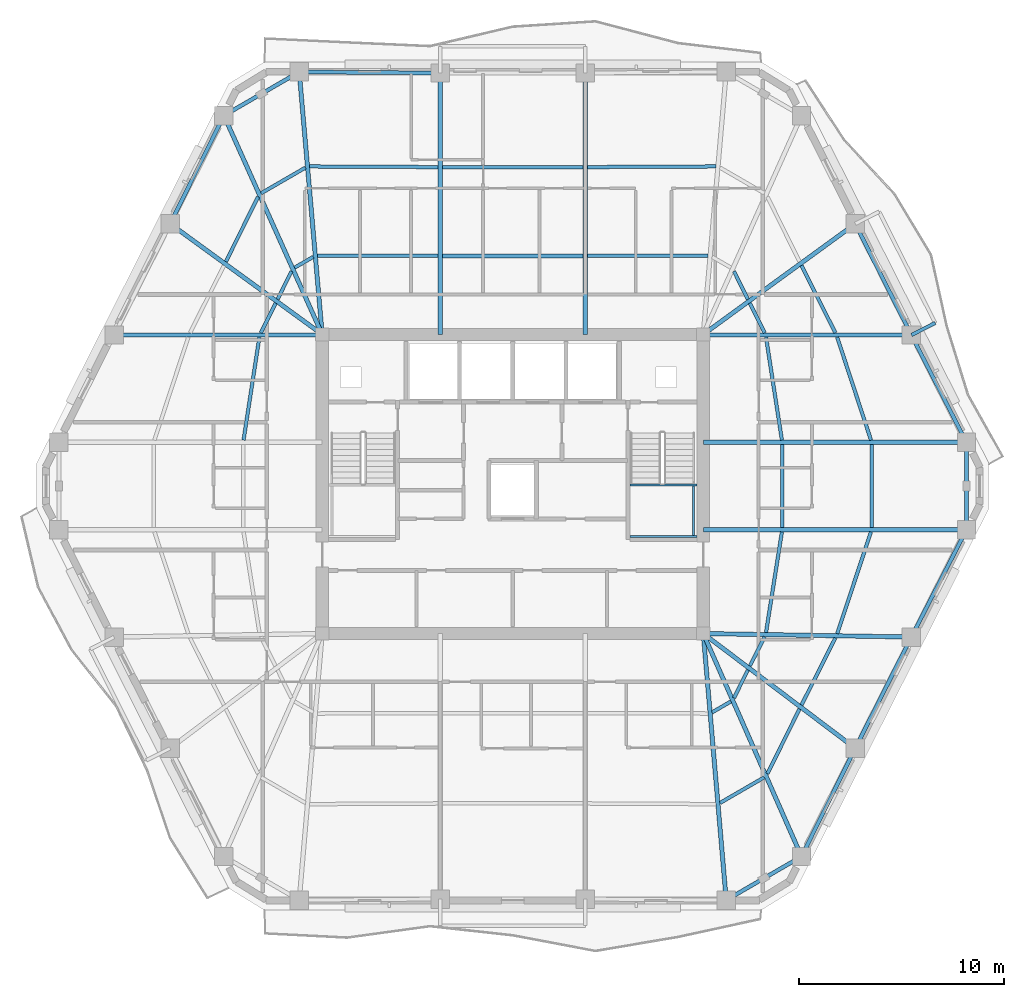
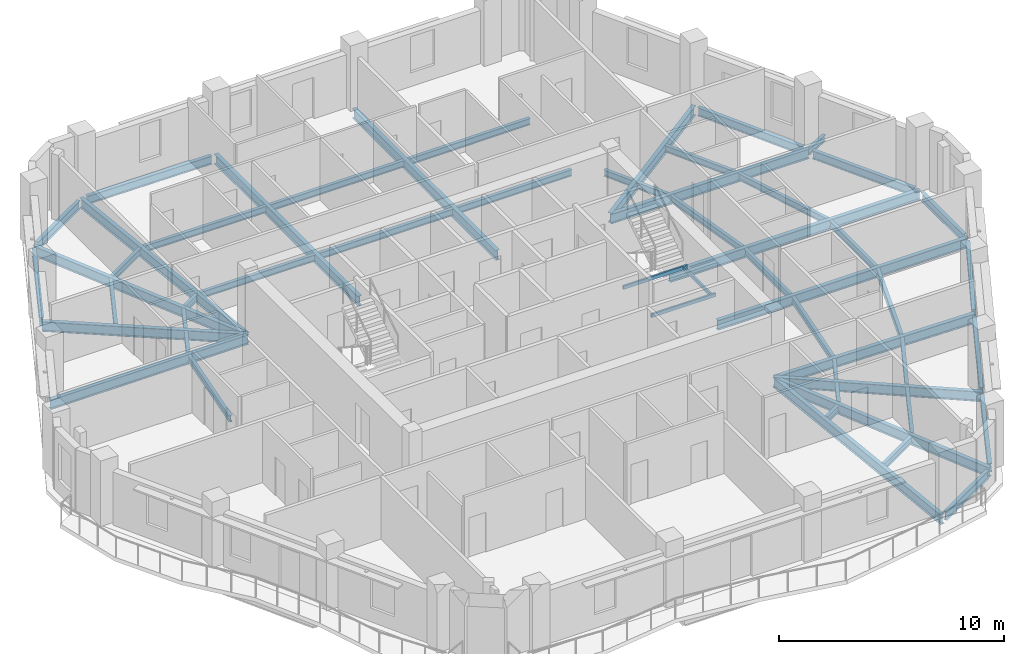
# One storey, part 2 of 11: 55 beams.
"""IFC4 building model written with IfcOpenShell, lengths in metres."""

import ifcopenshell
import ifcopenshell.guid

model = None  # the IFC model being written
_history = None  # IfcOwnerHistory: only IFC2X3 demands one
_inside = {}  # id of a spatial element -> (the spatial element, [elements in it])
_under = {}  # id of a project, library or spatial element -> (it, [spatial elements below it])
_declared = {}  # id of a project -> (the project, [libraries it declares])
_typed = {}  # id of a type object -> (the type object, [elements of that type])
_made_of = {}  # id of a material, layer set ... -> (it, [elements and type objects made of it])


def new_model(schema):
    """Start an empty IFC model of exactly this schema.

    Asked for "IFC4X3", IfcOpenShell would pick the latest addendum, in which some entities
    have other attributes; the version numbers below select the first issue.
    IFC2X3 requires an IfcOwnerHistory on every rooted entity: one is made here for all.
    """
    global model, _history
    if schema == "IFC4X3":
        model = ifcopenshell.file(schema_version=(4, 3, 0, 0))
    else:
        model = ifcopenshell.file(schema=schema)
    _inside.clear()
    _under.clear()
    _declared.clear()
    _typed.clear()
    _made_of.clear()
    _history = None
    if model.schema == "IFC2X3":
        org = make("IfcOrganization", Name="unknown")
        user = make(
            "IfcPersonAndOrganization",
            ThePerson=make("IfcPerson", FamilyName="unknown"),
            TheOrganization=org,
        )
        app = make(
            "IfcApplication",
            ApplicationDeveloper=org,
            Version="unknown",
            ApplicationFullName="unknown",
            ApplicationIdentifier="unknown",
        )
        _history = make(
            "IfcOwnerHistory",
            OwningUser=user,
            OwningApplication=app,
            ChangeAction="ADDED",
            CreationDate=0,
        )
    return model


def make(cls, **values):
    """One entity of the class cls with the attributes given. An attribute that is None is left unset."""
    return model.create_entity(
        cls, **{name: value for name, value in values.items() if value is not None}
    )


def rooted(cls, **values):
    """An entity with a GlobalId (a new one), such as an element, a storey or a relation."""
    return make(cls, GlobalId=ifcopenshell.guid.new(), OwnerHistory=_history, **values)


def si_unit(unit_type, name, prefix=None):
    """IfcSIUnit, for example si_unit("LENGTHUNIT", "METRE", prefix="MILLI")."""
    return make("IfcSIUnit", UnitType=unit_type, Prefix=prefix, Name=name)


def assignment(units):
    """IfcUnitAssignment: the units of a project."""
    return None if units is None else make("IfcUnitAssignment", Units=units)


def point(xyz):
    """IfcCartesianPoint."""
    return None if xyz is None else make("IfcCartesianPoint", Coordinates=xyz)


def direction(xyz):
    """IfcDirection."""
    return None if xyz is None else make("IfcDirection", DirectionRatios=xyz)


def frame(location, z_axis=None, x_axis=None):
    """IfcAxis2Placement3D, a coordinate frame: its origin and axes. An axis left out is left unset."""
    return make(
        "IfcAxis2Placement3D",
        Location=point(location),
        Axis=direction(z_axis),
        RefDirection=direction(x_axis),
    )


def frame_2d(location, x_axis=None):
    """IfcAxis2Placement2D, a coordinate frame in the plane: its origin and x axis."""
    return make(
        "IfcAxis2Placement2D", Location=point(location), RefDirection=direction(x_axis)
    )


def origin():
    """The frame at (0, 0, 0) with its axes left unset."""
    return frame((0.0, 0.0, 0.0))


def origin_2d():
    """The frame at (0, 0) in the plane with its x axis left unset."""
    return frame_2d((0.0, 0.0))


def place(relative_to, where):
    """IfcLocalPlacement: puts the frame where relative to a parent placement (None: the world)."""
    return make(
        "IfcLocalPlacement", PlacementRelTo=relative_to, RelativePlacement=where
    )


def context(
    kind, dimensions, precision=None, world=None, true_north=None, identifier=None
):
    """IfcGeometricRepresentationContext, for example the 3D "Model" context."""
    return make(
        "IfcGeometricRepresentationContext",
        ContextIdentifier=identifier,
        ContextType=kind,
        CoordinateSpaceDimension=dimensions,
        Precision=precision,
        WorldCoordinateSystem=world,
        TrueNorth=true_north,
    )


def subcontext(parent, identifier, kind, view, scale=None):
    """IfcGeometricRepresentationSubContext, for example "Body" below "Model"."""
    return make(
        "IfcGeometricRepresentationSubContext",
        ContextIdentifier=identifier,
        ContextType=kind,
        ParentContext=parent,
        TargetScale=scale,
        TargetView=view,
    )


def project(units=None, contexts=None):
    """IfcProject with its units and contexts."""
    return rooted(
        "IfcProject",
        Name="project",
        RepresentationContexts=contexts,
        UnitsInContext=assignment(units),
    )


def spatial(cls, under=None, at=None, **own):
    """A site, building, storey or space (cls), placed at a placement, below another one or the project."""
    s = rooted(cls, ObjectPlacement=at, **own)
    if under is not None:
        _under.setdefault(under.id(), (under, []))[1].append(s)
    return s


def profile(cls, at=None, kind="AREA", **sizes):
    """A parametric profile (cls). Its sizes go by their IFC names, for example OverallWidth=200.0."""
    return make(cls, ProfileType=kind, Position=at, **sizes)


def hollow_rectangle(**sizes):
    """IfcRectangleHollowProfileDef."""
    return profile("IfcRectangleHollowProfileDef", **sizes)


def i_section(**sizes):
    """IfcIShapeProfileDef."""
    return profile("IfcIShapeProfileDef", **sizes)


def extrude(swept, where, along, depth):
    """IfcExtrudedAreaSolid: the profile swept, set in the frame where, extruded along a direction by depth."""
    return make(
        "IfcExtrudedAreaSolid",
        SweptArea=swept,
        Position=where,
        ExtrudedDirection=direction(along),
        Depth=depth,
    )


def shape(context_of_items, identifier, shape_type, items):
    """IfcShapeRepresentation: the items that make up one representation, for example the "Body"."""
    return make(
        "IfcShapeRepresentation",
        ContextOfItems=context_of_items,
        RepresentationIdentifier=identifier,
        RepresentationType=shape_type,
        Items=items,
    )


def material(Name=None, Category=None):
    """IfcMaterial."""
    return make("IfcMaterial", Name=Name, Category=Category)


def material_profile(
    of_material, cross_section, Name=None, Category=None, Priority=None
):
    """IfcMaterialProfile: a cross section and its material."""
    return make(
        "IfcMaterialProfile",
        Name=Name,
        Material=of_material,
        Profile=cross_section,
        Priority=Priority,
        Category=Category,
    )


def profile_set(profiles, Name=None, composite=None):
    """IfcMaterialProfileSet."""
    return make(
        "IfcMaterialProfileSet",
        Name=Name,
        MaterialProfiles=profiles,
        CompositeProfile=composite,
    )


def made_of(thing, what):
    """Note that an element or type object is made of a material, layer set ...; save() writes the relation."""
    if what is not None:
        _made_of.setdefault(what.id(), (what, []))[1].append(thing)
    return thing


def type_object(cls, material=None, **own):
    """A type object (cls), such as IfcWallType, which elements share."""
    return made_of(rooted(cls, **own), material)


def element(
    cls,
    number,
    at=None,
    inside=None,
    cuts=None,
    type_object=None,
    material=None,
    context=None,
    identifier="Body",
    shape_type=None,
    held_by="IfcProductDefinitionShape",
    body=None,
    shapes=None,
    **own,
):
    """One element of the class cls, such as IfcWall. Its Tag is "e" and its number.

    at: its placement. inside: the storey or other place that contains it. cuts: it is an
    opening in that element (IfcRelVoidsElement). A single representation is given by context,
    identifier, shape_type and body (its items); several are given by shapes. held_by: the class
    of the entity that holds the representations. save() writes the other relations.
    """
    e = rooted(cls, Tag="e%d" % number, ObjectPlacement=at, **own)
    if body is not None:
        shapes = [shape(context, identifier, shape_type, body)]
    if shapes is not None:
        e.Representation = make(held_by, Representations=shapes)
    if inside is not None:
        _inside.setdefault(inside.id(), (inside, []))[1].append(e)
    if cuts is not None:
        rooted(
            "IfcRelVoidsElement", RelatingBuildingElement=cuts, RelatedOpeningElement=e
        )
    if type_object is not None:
        _typed.setdefault(type_object.id(), (type_object, []))[1].append(e)
    return made_of(e, material)


def aggregate(whole, parts):
    """IfcRelAggregates: a whole, such as a stair, and the parts it consists of."""
    return rooted("IfcRelAggregates", RelatingObject=whole, RelatedObjects=parts)


def save(model, path):
    """Write the relations noted so far, then the file.

    IfcRelAggregates (storeys below a building ...), IfcRelContainedInSpatialStructure (elements
    in a storey), IfcRelDefinesByType, IfcRelAssociatesMaterial and IfcRelDeclares: one each for
    every whole, place, type object, material and project.
    """
    for whole, parts in _under.values():
        aggregate(whole, parts)
    for where, things in _inside.values():
        rooted(
            "IfcRelContainedInSpatialStructure",
            RelatedElements=things,
            RelatingStructure=where,
        )
    for kind, things in _typed.values():
        rooted("IfcRelDefinesByType", RelatedObjects=things, RelatingType=kind)
    for what, things in _made_of.values():
        rooted("IfcRelAssociatesMaterial", RelatedObjects=things, RelatingMaterial=what)
    for by, libraries in _declared.values():
        rooted("IfcRelDeclares", RelatingContext=by, RelatedDefinitions=libraries)
    model.write(path)


model = new_model("IFC4")

# Units and contexts
model_context = context("Model", 3, precision=1e-05, world=origin(), true_north=direction((0.0, 1.0)))
body_context = subcontext(model_context, "Body", "Model", "MODEL_VIEW")
ifc_project = project(units=[si_unit("LENGTHUNIT", "METRE"), si_unit("AREAUNIT", "SQUARE_METRE"), si_unit("VOLUMEUNIT", "CUBIC_METRE"), si_unit("PLANEANGLEUNIT", "RADIAN"), si_unit("MASSUNIT", "GRAM", prefix="KILO")], contexts=[model_context])

# Site, building, storey
site_placement = place(None, origin())
site = spatial("IfcSite", under=ifc_project, at=site_placement, CompositionType="ELEMENT")
building_placement = place(site_placement, origin())
building = spatial("IfcBuilding", under=site, at=building_placement, Name="Cinnabar Lancet Tower", CompositionType="ELEMENT")
storey_placement = place(building_placement, frame((0.0, 0.0, 200.300048828125)))
storey = spatial("IfcBuildingStorey", under=building, at=storey_placement, Name="L53", CompositionType="ELEMENT", Elevation=200.300048828125)

# Beams
ifc_material_1 = material(Name="Structural steel S355", Category="steel")
ifc_material_profile_1 = material_profile(ifc_material_1, i_section(OverallWidth=0.17138671875, OverallDepth=0.35498046875, WebThickness=0.00732421875, FlangeThickness=0.011474609375, FilletRadius=0.01025390625, at=origin_2d()), Name="UKB 356x171x51")
ifc_profile_set_1 = profile_set([ifc_material_profile_1], Name="Structural steel S355")
beam_type_1 = type_object("IfcBeamType", Name="STR-BM-JST-356", PredefinedType="JOIST", material=ifc_profile_set_1)
beam_1_placement = place(storey_placement, frame((42.51708984375, 10.3310546875, -0.3779296875), z_axis=(0.865267839663, 0.501309849937, 0.0), x_axis=(-0.501309849937, 0.865267839663, 0.0)))
element("IfcBeam", 1, at=beam_1_placement, inside=storey, type_object=beam_type_1, Name="L53 Secondary Floor Joist 15", PredefinedType="JOIST", context=body_context, shape_type="SweptSolid", body=[
    extrude(i_section(OverallWidth=0.17138671875, OverallDepth=0.35498046875, WebThickness=0.00732421875, FlangeThickness=0.011474609375, FilletRadius=0.01025390625, at=origin_2d()), origin(), (0.0, 0.0, 1.0), 2.497314453125),
])
beam_2_placement = place(storey_placement, frame((42.135986328125, 14.7548828125, -0.3779296875), z_axis=(0.8651881055, 0.501447446998, 0.0), x_axis=(-0.501447446998, 0.8651881055, 0.0)))
element("IfcBeam", 2, at=beam_2_placement, inside=storey, type_object=beam_type_1, Name="L53 Secondary Floor Joist 16", PredefinedType="JOIST", context=body_context, shape_type="SweptSolid", body=[
    extrude(i_section(OverallWidth=0.17138671875, OverallDepth=0.35498046875, WebThickness=0.00732421875, FlangeThickness=0.011474609375, FilletRadius=0.01025390625, at=origin_2d()), origin(), (0.0, 0.0, 1.0), 1.05322265625),
])
beam_3_placement = place(storey_placement, frame((44.8291015625, 11.758056640625, -0.3779296875), z_axis=(0.445027906173, 0.895516701534, 0.0), x_axis=(-0.895516701534, 0.445027906173, 0.0)))
element("IfcBeam", 3, at=beam_3_placement, inside=storey, type_object=beam_type_1, Name="L53 Secondary Floor Joist 17", PredefinedType="JOIST", context=body_context, shape_type="SweptSolid", body=[
    extrude(i_section(OverallWidth=0.17138671875, OverallDepth=0.35498046875, WebThickness=0.00732421875, FlangeThickness=0.011474609375, FilletRadius=0.01025390625, at=origin_2d()), origin(), (0.0, 0.0, 1.0), 3.531982421875),
])
beam_4_placement = place(storey_placement, frame((43.198974609375, 15.45703125, -0.3779296875), z_axis=(0.444589856968, 0.895734256954, 0.0), x_axis=(-0.895734256954, 0.444589856968, 0.0)))
element("IfcBeam", 4, at=beam_4_placement, inside=storey, type_object=beam_type_1, Name="L53 Secondary Floor Joist 18", PredefinedType="JOIST", context=body_context, shape_type="SweptSolid", body=[
    extrude(i_section(OverallWidth=0.17138671875, OverallDepth=0.35498046875, WebThickness=0.00732421875, FlangeThickness=0.011474609375, FilletRadius=0.01025390625, at=origin_2d()), origin(), (0.0, 0.0, 1.0), 1.527099609375),
])
beam_5_placement = place(storey_placement, frame((46.49609375, 15.112060546875, -0.3779296875), z_axis=(0.450564728728, 0.892743762357, 0.0), x_axis=(-0.892743762357, 0.450564728728, 0.0)))
element("IfcBeam", 5, at=beam_5_placement, inside=storey, type_object=beam_type_1, Name="L53 Secondary Floor Joist 19", PredefinedType="JOIST", context=body_context, shape_type="SweptSolid", body=[
    extrude(i_section(OverallWidth=0.17138671875, OverallDepth=0.35498046875, WebThickness=0.00732421875, FlangeThickness=0.011474609375, FilletRadius=0.01025390625, at=origin_2d()), origin(), (0.0, 0.0, 1.0), 3.66845703125),
])
beam_6_placement = place(storey_placement, frame((43.97412109375, 17.014892578125, -0.3779296875), z_axis=(0.450137936259, 0.892959035085, 0.0), x_axis=(-0.892959035085, 0.450137936259, 0.0)))
element("IfcBeam", 6, at=beam_6_placement, inside=storey, type_object=beam_type_1, Name="L53 Secondary Floor Joist 20", PredefinedType="JOIST", context=body_context, shape_type="SweptSolid", body=[
    extrude(i_section(OverallWidth=0.17138671875, OverallDepth=0.35498046875, WebThickness=0.00732421875, FlangeThickness=0.011474609375, FilletRadius=0.01025390625, at=origin_2d()), origin(), (0.0, 0.0, 1.0), 1.6015625),
])
beam_7_placement = place(storey_placement, frame((48.236083984375, 18.594970703125, -0.3779296875), z_axis=(0.315346227037, 0.948976689436, 0.0), x_axis=(-0.948976689436, 0.315346227037, 0.0)))
element("IfcBeam", 7, at=beam_7_placement, inside=storey, type_object=beam_type_1, Name="L53 Secondary Floor Joist 21", PredefinedType="JOIST", context=body_context, shape_type="SweptSolid", body=[
    extrude(i_section(OverallWidth=0.17138671875, OverallDepth=0.35498046875, WebThickness=0.00732421875, FlangeThickness=0.011474609375, FilletRadius=0.01025390625, at=origin_2d()), origin(), (0.0, 0.0, 1.0), 5.235107421875),
])
beam_8_placement = place(storey_placement, frame((44.763916015625, 18.653076171875, -0.3779296875), z_axis=(0.155750702097, 0.987796395416, 0.0), x_axis=(-0.987796395416, 0.155750702097, 0.0)))
element("IfcBeam", 8, at=beam_8_placement, inside=storey, type_object=beam_type_1, Name="L53 Secondary Floor Joist 22", PredefinedType="JOIST", context=body_context, shape_type="SweptSolid", body=[
    extrude(i_section(OverallWidth=0.17138671875, OverallDepth=0.35498046875, WebThickness=0.00732421875, FlangeThickness=0.011474609375, FilletRadius=0.01025390625, at=origin_2d()), origin(), (0.0, 0.0, 1.0), 4.970458984375),
])
for number, where, z_axis, x_axis, name in (
    (9, (49.922119140625, 23.77294921875, -0.3779296875), (0.0, 1.0, 0.0), (-1.0, 0.0, 0.0), "L53 Secondary Floor Joist 23"),
    (10, (45.553955078125, 23.77294921875, -0.3779296875), (0.0, 1.0, 0.0), (-1.0, 0.0, 0.0), "L53 Secondary Floor Joist 24"),
):
    element("IfcBeam", number, at=place(storey_placement, frame(where, z_axis=z_axis, x_axis=x_axis)), inside=storey, type_object=beam_type_1, Name=name, PredefinedType="JOIST", context=body_context, shape_type="SweptSolid", body=[
        extrude(i_section(OverallWidth=0.17138671875, OverallDepth=0.35498046875, WebThickness=0.00732421875, FlangeThickness=0.011474609375, FilletRadius=0.01025390625, at=origin_2d()), origin(), (0.0, 0.0, 1.0), 4.053955078125),
    ])
beam_9_placement = place(storey_placement, frame((49.887939453125, 28.037109375, -0.3779296875), z_axis=(-0.312240109925, 0.95000321776, 0.0), x_axis=(-0.95000321776, -0.312240109925, 0.0)))
element("IfcBeam", 11, at=beam_9_placement, inside=storey, type_object=beam_type_1, Name="L53 Secondary Floor Joist 25", PredefinedType="JOIST", context=body_context, shape_type="SweptSolid", body=[
    extrude(i_section(OverallWidth=0.17138671875, OverallDepth=0.35498046875, WebThickness=0.00732421875, FlangeThickness=0.011474609375, FilletRadius=0.01025390625, at=origin_2d()), origin(), (0.0, 0.0, 1.0), 5.29345703125),
])
beam_10_placement = place(storey_placement, frame((45.5380859375, 28.037109375, -0.3779296875), z_axis=(-0.152154536592, 0.98835671546, 0.0), x_axis=(-0.98835671546, -0.152154536592, 0.0)))
element("IfcBeam", 12, at=beam_10_placement, inside=storey, type_object=beam_type_1, Name="L53 Secondary Floor Joist 26", PredefinedType="JOIST", context=body_context, shape_type="SweptSolid", body=[
    extrude(i_section(OverallWidth=0.17138671875, OverallDepth=0.35498046875, WebThickness=0.00732421875, FlangeThickness=0.011474609375, FilletRadius=0.01025390625, at=origin_2d()), origin(), (0.0, 0.0, 1.0), 5.088134765625),
])
beam_11_placement = place(storey_placement, frame((48.14794921875, 33.27587890625, -0.3779296875), z_axis=(-0.449230875134, 0.893415704376, 0.0), x_axis=(-0.893415704376, -0.449230875134, 0.0)))
element("IfcBeam", 13, at=beam_11_placement, inside=storey, type_object=beam_type_1, Name="L53 Secondary Floor Joist 27", PredefinedType="JOIST", context=body_context, shape_type="SweptSolid", body=[
    extrude(i_section(OverallWidth=0.17138671875, OverallDepth=0.35498046875, WebThickness=0.00732421875, FlangeThickness=0.011474609375, FilletRadius=0.01025390625, at=origin_2d()), origin(), (0.0, 0.0, 1.0), 3.677001953125),
])
beam_12_placement = place(storey_placement, frame((44.695068359375, 33.27587890625, -0.3779296875), z_axis=(-0.446006949597, 0.89502949723, 0.0), x_axis=(-0.89502949723, -0.446006949597, 0.0)))
element("IfcBeam", 14, at=beam_12_placement, inside=storey, type_object=beam_type_1, Name="L53 Secondary Floor Joist 28", PredefinedType="JOIST", context=body_context, shape_type="SweptSolid", body=[
    extrude(i_section(OverallWidth=0.17138671875, OverallDepth=0.35498046875, WebThickness=0.00732421875, FlangeThickness=0.011474609375, FilletRadius=0.01025390625, at=origin_2d()), origin(), (0.0, 0.0, 1.0), 1.619140625),
])
beam_13_placement = place(storey_placement, frame((43.8779296875, 34.9150390625, -0.3779296875), z_axis=(-0.444589856968, 0.895734256954, 0.0), x_axis=(-0.895734256954, -0.444589856968, 0.0)))
element("IfcBeam", 15, at=beam_13_placement, inside=storey, type_object=beam_type_1, Name="L53 Secondary Floor Joist 30", PredefinedType="JOIST", context=body_context, shape_type="SweptSolid", body=[
    extrude(i_section(OverallWidth=0.17138671875, OverallDepth=0.35498046875, WebThickness=0.00732421875, FlangeThickness=0.011474609375, FilletRadius=0.01025390625, at=origin_2d()), origin(), (0.0, 0.0, 1.0), 1.527099609375),
])
beam_14_placement = place(storey_placement, frame((42.31201171875, 41.39794921875, -0.3779296875), z_axis=(-0.999986965561, -0.005105752523, 0.0), x_axis=(0.005105752523, -0.999986965561, 0.0)))
element("IfcBeam", 16, at=beam_14_placement, inside=storey, type_object=beam_type_1, Name="L53 Secondary Floor Joist 33", PredefinedType="JOIST", context=body_context, shape_type="SweptSolid", body=[
    extrude(i_section(OverallWidth=0.17138671875, OverallDepth=0.35498046875, WebThickness=0.00732421875, FlangeThickness=0.011474609375, FilletRadius=0.01025390625, at=origin_2d()), origin(), (0.0, 0.0, 1.0), 6.263916015625),
])
beam_15_placement = place(storey_placement, frame((41.930908203125, 37.04296875, -0.3779296875), z_axis=(-0.999996795667, -0.002531532393, 0.0), x_axis=(0.002531532393, -0.999996795667, 0.0)))
element("IfcBeam", 17, at=beam_15_placement, inside=storey, type_object=beam_type_1, Name="L53 Secondary Floor Joist 34", PredefinedType="JOIST", context=body_context, shape_type="SweptSolid", body=[
    extrude(i_section(OverallWidth=0.17138671875, OverallDepth=0.35498046875, WebThickness=0.00732421875, FlangeThickness=0.011474609375, FilletRadius=0.01025390625, at=origin_2d()), origin(), (0.0, 0.0, 1.0), 5.8828125),
])
for number, where, z_axis, x_axis, name in (
    (18, (35.837890625, 41.364990234375, -0.3779296875), (-1.0, 0.0, 0.0), (0.0, -1.0, 0.0), "L53 Secondary Floor Joist 35"),
    (19, (35.837890625, 37.027099609375, -0.3779296875), (-1.0, 0.0, 0.0), (0.0, -1.0, 0.0), "L53 Secondary Floor Joist 36"),
):
    element("IfcBeam", number, at=place(storey_placement, frame(where, z_axis=z_axis, x_axis=x_axis)), inside=storey, type_object=beam_type_1, Name=name, PredefinedType="JOIST", context=body_context, shape_type="SweptSolid", body=[
        extrude(i_section(OverallWidth=0.17138671875, OverallDepth=0.35498046875, WebThickness=0.00732421875, FlangeThickness=0.011474609375, FilletRadius=0.01025390625, at=origin_2d()), origin(), (0.0, 0.0, 1.0), 6.8759765625),
    ])
beam_16_placement = place(storey_placement, frame((28.751953125, 41.365966796875, -0.3779296875), z_axis=(-0.999986965561, 0.005105752523, 0.0), x_axis=(-0.005105752523, -0.999986965561, 0.0)))
element("IfcBeam", 20, at=beam_16_placement, inside=storey, type_object=beam_type_1, Name="L53 Secondary Floor Joist 37", PredefinedType="JOIST", context=body_context, shape_type="SweptSolid", body=[
    extrude(i_section(OverallWidth=0.17138671875, OverallDepth=0.35498046875, WebThickness=0.00732421875, FlangeThickness=0.011474609375, FilletRadius=0.01025390625, at=origin_2d()), origin(), (0.0, 0.0, 1.0), 6.263916015625),
])
beam_17_placement = place(storey_placement, frame((28.751953125, 37.028076171875, -0.3779296875), z_axis=(-0.999996795933, 0.002531427338, 0.0), x_axis=(-0.002531427338, -0.999996795933, 0.0)))
element("IfcBeam", 21, at=beam_17_placement, inside=storey, type_object=beam_type_1, Name="L53 Secondary Floor Joist 38", PredefinedType="JOIST", context=body_context, shape_type="SweptSolid", body=[
    extrude(i_section(OverallWidth=0.17138671875, OverallDepth=0.35498046875, WebThickness=0.00732421875, FlangeThickness=0.011474609375, FilletRadius=0.01025390625, at=origin_2d()), origin(), (0.0, 0.0, 1.0), 5.883056640625),
])
beam_18_placement = place(storey_placement, frame((22.282958984375, 41.341064453125, -0.3779296875), z_axis=(-0.865267839663, -0.501309849937, 0.0), x_axis=(0.501309849937, -0.865267839663, 0.0)))
element("IfcBeam", 22, at=beam_18_placement, inside=storey, type_object=beam_type_1, Name="L53 Secondary Floor Joist 39", PredefinedType="JOIST", context=body_context, shape_type="SweptSolid", body=[
    extrude(i_section(OverallWidth=0.17138671875, OverallDepth=0.35498046875, WebThickness=0.00732421875, FlangeThickness=0.011474609375, FilletRadius=0.01025390625, at=origin_2d()), origin(), (0.0, 0.0, 1.0), 2.497314453125),
])
beam_19_placement = place(storey_placement, frame((22.6640625, 36.985107421875, -0.3779296875), z_axis=(-0.8651881055, -0.501447446998, 0.0), x_axis=(0.501447446998, -0.8651881055, 0.0)))
element("IfcBeam", 23, at=beam_19_placement, inside=storey, type_object=beam_type_1, Name="L53 Secondary Floor Joist 40", PredefinedType="JOIST", context=body_context, shape_type="SweptSolid", body=[
    extrude(i_section(OverallWidth=0.17138671875, OverallDepth=0.35498046875, WebThickness=0.00732421875, FlangeThickness=0.011474609375, FilletRadius=0.01025390625, at=origin_2d()), origin(), (0.0, 0.0, 1.0), 1.05322265625),
])
beam_20_placement = place(storey_placement, frame((19.970947265625, 39.9150390625, -0.3779296875), z_axis=(-0.444835507887, -0.895612288283, 0.0), x_axis=(0.895612288283, -0.444835507887, 0.0)))
element("IfcBeam", 24, at=beam_20_placement, inside=storey, type_object=beam_type_1, Name="L53 Secondary Floor Joist 41", PredefinedType="JOIST", context=body_context, shape_type="SweptSolid", body=[
    extrude(i_section(OverallWidth=0.17138671875, OverallDepth=0.35498046875, WebThickness=0.00732421875, FlangeThickness=0.011474609375, FilletRadius=0.01025390625, at=origin_2d()), origin(), (0.0, 0.0, 1.0), 3.533935546875),
])
beam_21_placement = place(storey_placement, frame((21.60107421875, 36.282958984375, -0.3779296875), z_axis=(-0.444589856968, -0.895734256954, 0.0), x_axis=(0.895734256954, -0.444589856968, 0.0)))
element("IfcBeam", 25, at=beam_21_placement, inside=storey, type_object=beam_type_1, Name="L53 Secondary Floor Joist 42", PredefinedType="JOIST", context=body_context, shape_type="SweptSolid", body=[
    extrude(i_section(OverallWidth=0.17138671875, OverallDepth=0.35498046875, WebThickness=0.00732421875, FlangeThickness=0.011474609375, FilletRadius=0.01025390625, at=origin_2d()), origin(), (0.0, 0.0, 1.0), 1.527099609375),
])
beam_22_placement = place(storey_placement, frame((20.826904296875, 34.72509765625, -0.3779296875), z_axis=(-0.44588615098, -0.895089682861, 0.0), x_axis=(0.895089682861, -0.44588615098, 0.0)))
element("IfcBeam", 26, at=beam_22_placement, inside=storey, type_object=beam_type_1, Name="L53 Secondary Floor Joist 44", PredefinedType="JOIST", context=body_context, shape_type="SweptSolid", body=[
    extrude(i_section(OverallWidth=0.17138671875, OverallDepth=0.35498046875, WebThickness=0.00732421875, FlangeThickness=0.011474609375, FilletRadius=0.01025390625, at=origin_2d()), origin(), (0.0, 0.0, 1.0), 1.619140625),
])
beam_23_placement = place(storey_placement, frame((20.035888671875, 33.06591796875, -0.3779296875), z_axis=(-0.152107663797, -0.988363930248, 0.0), x_axis=(0.988363930248, -0.152107663797, 0.0)))
element("IfcBeam", 27, at=beam_23_placement, inside=storey, type_object=beam_type_1, Name="L53 Secondary Floor Joist 46", PredefinedType="JOIST", context=body_context, shape_type="SweptSolid", body=[
    extrude(i_section(OverallWidth=0.17138671875, OverallDepth=0.35498046875, WebThickness=0.00732421875, FlangeThickness=0.011474609375, FilletRadius=0.01025390625, at=origin_2d()), origin(), (0.0, 0.0, 1.0), 5.088134765625),
])
ifc_material_2 = material(Name="Structural steel S355", Category="steel")
ifc_material_profile_2 = material_profile(ifc_material_2, hollow_rectangle(XDim=0.10009765625, YDim=0.199951171875, WallThickness=0.008056640625, InnerFilletRadius=0.00390625, OuterFilletRadius=0.011962890625, at=origin_2d()), Name="RHS 200x100x8")
ifc_profile_set_2 = profile_set([ifc_material_profile_2], Name="Structural steel S355")
beam_type_2 = type_object("IfcBeamType", Name="STR-BM-LND-203", PredefinedType="BEAM", material=ifc_profile_set_2)
for number, where, z_axis, x_axis, name in (
    (28, (38.1201171875, 23.330078125, 1.474853515625), (1.0, 0.0, 0.0), (0.0, 1.0, 0.0), "L53 ST-2-L53 Landing Support Beam S"),
    (29, (38.1201171875, 25.844970703125, 1.474853515625), (1.0, 0.0, 0.0), (0.0, 1.0, 0.0), "L53 ST-2-L53 Landing Support Beam N"),
):
    element("IfcBeam", number, at=place(storey_placement, frame(where, z_axis=z_axis, x_axis=x_axis)), inside=storey, type_object=beam_type_2, Name=name, PredefinedType="BEAM", context=body_context, shape_type="SweptSolid", body=[
        extrude(hollow_rectangle(XDim=0.10009765625, YDim=0.199951171875, WallThickness=0.008056640625, InnerFilletRadius=0.00390625, OuterFilletRadius=0.011962890625, at=origin_2d()), origin(), (0.0, 0.0, 1.0), 3.27978515625),
    ])
beam_24_placement = place(storey_placement, frame((41.219970703125, 23.3798828125, 1.474853515625), z_axis=(0.0, 1.0, 0.0), x_axis=(-1.0, 0.0, 0.0)))
element("IfcBeam", 30, at=beam_24_placement, inside=storey, type_object=beam_type_2, Name="L53 ST-2-L53 Landing Side Trimmer Beam", PredefinedType="BEAM", context=body_context, shape_type="SweptSolid", body=[
    extrude(hollow_rectangle(XDim=0.10009765625, YDim=0.199951171875, WallThickness=0.008056640625, InnerFilletRadius=0.00390625, OuterFilletRadius=0.011962890625, at=origin_2d()), origin(), (0.0, 0.0, 1.0), 2.4150390625),
])
ifc_material_3 = material(Name="Structural steel S355", Category="steel")
ifc_material_profile_3 = material_profile(ifc_material_3, i_section(OverallWidth=0.1904296875, OverallDepth=0.45703125, WebThickness=0.009033203125, FlangeThickness=0.014404296875, FilletRadius=0.01025390625, at=origin_2d()), Name="UKB 457x191x74")
ifc_profile_set_3 = profile_set([ifc_material_profile_3], Name="Structural steel S355")
beam_type_3 = type_object("IfcBeamType", Name="STR-BM-SPN-457", PredefinedType="SPANDREL", material=ifc_profile_set_3)
beam_25_placement = place(storey_placement, frame((43.037109375, 5.714111328125, -0.428955078125), z_axis=(0.865195717586, 0.501434313016, 0.0), x_axis=(-0.501434313016, 0.865195717586, 0.0)))
element("IfcBeam", 31, at=beam_25_placement, inside=storey, type_object=beam_type_3, Name="L53 Perimeter Spandrel 4", PredefinedType="SPANDREL", context=body_context, shape_type="SweptSolid", body=[
    extrude(i_section(OverallWidth=0.1904296875, OverallDepth=0.45703125, WebThickness=0.009033203125, FlangeThickness=0.014404296875, FilletRadius=0.01025390625, at=origin_2d()), origin(), (0.0, 0.0, 1.0), 3.7470703125),
])
beam_26_placement = place(storey_placement, frame((46.60595703125, 7.94189453125, -0.428955078125), z_axis=(0.444914968367, 0.895572817208, 0.0), x_axis=(-0.895572817208, 0.444914968367, 0.0)))
element("IfcBeam", 32, at=beam_26_placement, inside=storey, type_object=beam_type_3, Name="L53 Perimeter Spandrel 5", PredefinedType="SPANDREL", context=body_context, shape_type="SweptSolid", body=[
    extrude(i_section(OverallWidth=0.1904296875, OverallDepth=0.45703125, WebThickness=0.009033203125, FlangeThickness=0.014404296875, FilletRadius=0.01025390625, at=origin_2d()), origin(), (0.0, 0.0, 1.0), 5.39892578125),
])
beam_27_placement = place(storey_placement, frame((49.23193359375, 13.22412109375, -0.428955078125), z_axis=(0.450395996562, 0.892828900899, 0.0), x_axis=(-0.892828900899, 0.450395996562, 0.0)))
element("IfcBeam", 33, at=beam_27_placement, inside=storey, type_object=beam_type_3, Name="L53 Perimeter Spandrel 6", PredefinedType="SPANDREL", context=body_context, shape_type="SweptSolid", body=[
    extrude(i_section(OverallWidth=0.1904296875, OverallDepth=0.45703125, WebThickness=0.009033203125, FlangeThickness=0.014404296875, FilletRadius=0.01025390625, at=origin_2d()), origin(), (0.0, 0.0, 1.0), 5.579833984375),
])
beam_28_placement = place(storey_placement, frame((51.971923828125, 18.65087890625, -0.428955078125), z_axis=(0.456628362232, 0.889657540184, 0.0), x_axis=(-0.889657540184, 0.456628362232, 0.0)))
element("IfcBeam", 34, at=beam_28_placement, inside=storey, type_object=beam_type_3, Name="L53 Perimeter Spandrel 7", PredefinedType="SPANDREL", context=body_context, shape_type="SweptSolid", body=[
    extrude(i_section(OverallWidth=0.1904296875, OverallDepth=0.45703125, WebThickness=0.009033203125, FlangeThickness=0.014404296875, FilletRadius=0.01025390625, at=origin_2d()), origin(), (0.0, 0.0, 1.0), 5.389892578125),
])
beam_29_placement = place(storey_placement, frame((54.547119140625, 23.91796875, -0.428955078125), z_axis=(0.0, 1.0, 0.0), x_axis=(-1.0, 0.0, 0.0)))
element("IfcBeam", 35, at=beam_29_placement, inside=storey, type_object=beam_type_3, Name="L53 Perimeter Spandrel 8", PredefinedType="SPANDREL", context=body_context, shape_type="SweptSolid", body=[
    extrude(i_section(OverallWidth=0.1904296875, OverallDepth=0.45703125, WebThickness=0.009033203125, FlangeThickness=0.014404296875, FilletRadius=0.01025390625, at=origin_2d()), origin(), (0.0, 0.0, 1.0), 3.763916015625),
])
beam_30_placement = place(storey_placement, frame((54.43310546875, 28.154052734375, -0.428955078125), z_axis=(-0.456646764028, 0.889648094981, 0.0), x_axis=(-0.889648094981, -0.456646764028, 0.0)))
element("IfcBeam", 36, at=beam_30_placement, inside=storey, type_object=beam_type_3, Name="L53 Perimeter Spandrel 9", PredefinedType="SPANDREL", context=body_context, shape_type="SweptSolid", body=[
    extrude(i_section(OverallWidth=0.1904296875, OverallDepth=0.45703125, WebThickness=0.009033203125, FlangeThickness=0.014404296875, FilletRadius=0.01025390625, at=origin_2d()), origin(), (0.0, 0.0, 1.0), 5.3896484375),
])
beam_31_placement = place(storey_placement, frame((51.7451171875, 33.39404296875, -0.428955078125), z_axis=(-0.450395996562, 0.892828900899, 0.0), x_axis=(-0.892828900899, -0.450395996562, 0.0)))
element("IfcBeam", 37, at=beam_31_placement, inside=storey, type_object=beam_type_3, Name="L53 Perimeter Spandrel 10", PredefinedType="SPANDREL", context=body_context, shape_type="SweptSolid", body=[
    extrude(i_section(OverallWidth=0.1904296875, OverallDepth=0.45703125, WebThickness=0.009033203125, FlangeThickness=0.014404296875, FilletRadius=0.01025390625, at=origin_2d()), origin(), (0.0, 0.0, 1.0), 5.579833984375),
])
beam_32_placement = place(storey_placement, frame((28.60693359375, 45.9599609375, -0.428955078125), z_axis=(-0.999970401924, 0.007693846685, 0.0), x_axis=(-0.007693846685, -0.999970401924, 0.0)))
element("IfcBeam", 38, at=beam_32_placement, inside=storey, type_object=beam_type_3, Name="L53 Perimeter Spandrel 15", PredefinedType="SPANDREL", context=body_context, shape_type="SweptSolid", body=[
    extrude(i_section(OverallWidth=0.1904296875, OverallDepth=0.45703125, WebThickness=0.009033203125, FlangeThickness=0.014404296875, FilletRadius=0.01025390625, at=origin_2d()), origin(), (0.0, 0.0, 1.0), 6.378173828125),
])
beam_33_placement = place(storey_placement, frame((21.762939453125, 45.885986328125, -0.428955078125), z_axis=(-0.865195717586, -0.501434313016, 0.0), x_axis=(0.501434313016, -0.865195717586, 0.0)))
element("IfcBeam", 39, at=beam_33_placement, inside=storey, type_object=beam_type_3, Name="L53 Perimeter Spandrel 16", PredefinedType="SPANDREL", context=body_context, shape_type="SweptSolid", body=[
    extrude(i_section(OverallWidth=0.1904296875, OverallDepth=0.45703125, WebThickness=0.009033203125, FlangeThickness=0.014404296875, FilletRadius=0.01025390625, at=origin_2d()), origin(), (0.0, 0.0, 1.0), 3.7470703125),
])
beam_34_placement = place(storey_placement, frame((18.194091796875, 43.657958984375, -0.428955078125), z_axis=(-0.444932986899, -0.895563865489, 0.0), x_axis=(0.895563865489, -0.444932986899, 0.0)))
element("IfcBeam", 40, at=beam_34_placement, inside=storey, type_object=beam_type_3, Name="L53 Perimeter Spandrel 17", PredefinedType="SPANDREL", context=body_context, shape_type="SweptSolid", body=[
    extrude(i_section(OverallWidth=0.1904296875, OverallDepth=0.45703125, WebThickness=0.009033203125, FlangeThickness=0.014404296875, FilletRadius=0.01025390625, at=origin_2d()), origin(), (0.0, 0.0, 1.0), 5.398681640625),
])
ifc_material_4 = material(Name="Structural steel S355", Category="steel")
ifc_material_profile_4 = material_profile(ifc_material_4, i_section(OverallWidth=0.209228515625, OverallDepth=0.533203125, WebThickness=0.010009765625, FlangeThickness=0.015625, FilletRadius=0.0126953125, at=origin_2d()), Name="UKB 533x210x92")
ifc_profile_set_4 = profile_set([ifc_material_profile_4], Name="Structural steel S355")
beam_type_4 = type_object("IfcBeamType", Name="STR-BM-UKB533-92", PredefinedType="BEAM", material=ifc_profile_set_4)
beam_35_placement = place(storey_placement, frame((49.118896484375, 13.0009765625, -0.467041015625), z_axis=(-0.798193439732, 0.602401222417, 0.0), x_axis=(-0.602401222417, -0.798193439732, 0.0)))
element("IfcBeam", 41, at=beam_35_placement, inside=storey, type_object=beam_type_4, Name="L53 Corner Collector Girder 2", PredefinedType="BEAM", context=body_context, shape_type="SweptSolid", body=[
    extrude(i_section(OverallWidth=0.209228515625, OverallDepth=0.533203125, WebThickness=0.010009765625, FlangeThickness=0.015625, FilletRadius=0.0126953125, at=origin_2d()), origin(), (0.0, 0.0, 1.0), 9.294677734375),
])
beam_36_placement = place(storey_placement, frame((49.118896484375, 38.59912109375, -0.467041015625), z_axis=(-0.808550797984, -0.588426382039, 0.0), x_axis=(0.588426382039, -0.808550797984, 0.0)))
element("IfcBeam", 42, at=beam_36_placement, inside=storey, type_object=beam_type_4, Name="L53 Corner Collector Girder 3", PredefinedType="BEAM", context=body_context, shape_type="SweptSolid", body=[
    extrude(i_section(OverallWidth=0.209228515625, OverallDepth=0.533203125, WebThickness=0.010009765625, FlangeThickness=0.015625, FilletRadius=0.0126953125, at=origin_2d()), origin(), (0.0, 0.0, 1.0), 9.175537109375),
])
beam_37_placement = place(storey_placement, frame((15.680908203125, 38.59912109375, -0.467041015625), z_axis=(0.80856001044, -0.588413723087, 0.0), x_axis=(0.588413723087, 0.80856001044, 0.0)))
element("IfcBeam", 43, at=beam_37_placement, inside=storey, type_object=beam_type_4, Name="L53 Corner Collector Girder 4", PredefinedType="BEAM", context=body_context, shape_type="SweptSolid", body=[
    extrude(i_section(OverallWidth=0.209228515625, OverallDepth=0.533203125, WebThickness=0.010009765625, FlangeThickness=0.015625, FilletRadius=0.0126953125, at=origin_2d()), origin(), (0.0, 0.0, 1.0), 9.17578125),
])
beam_38_placement = place(storey_placement, frame((42.821044921875, 5.589111328125, -0.467041015625), z_axis=(-0.085847068729, 0.996308326167, 0.0), x_axis=(-0.996308326167, -0.085847068729, 0.0)))
element("IfcBeam", 44, at=beam_38_placement, inside=storey, type_object=beam_type_4, Name="L53 Primary Floor Girder 4", PredefinedType="BEAM", context=body_context, shape_type="SweptSolid", body=[
    extrude(i_section(OverallWidth=0.209228515625, OverallDepth=0.533203125, WebThickness=0.010009765625, FlangeThickness=0.015625, FilletRadius=0.0126953125, at=origin_2d()), origin(), (0.0, 0.0, 1.0), 13.05908203125),
])
beam_39_placement = place(storey_placement, frame((46.4951171875, 7.718017578125, -0.467041015625), z_axis=(-0.403235299754, 0.915096329919, 0.0), x_axis=(-0.915096329919, -0.403235299754, 0.0)))
element("IfcBeam", 45, at=beam_39_placement, inside=storey, type_object=beam_type_4, Name="L53 Primary Floor Girder 5", PredefinedType="BEAM", context=body_context, shape_type="SweptSolid", body=[
    extrude(i_section(OverallWidth=0.209228515625, OverallDepth=0.533203125, WebThickness=0.010009765625, FlangeThickness=0.015625, FilletRadius=0.0126953125, at=origin_2d()), origin(), (0.0, 0.0, 1.0), 11.891845703125),
])
beam_40_placement = place(storey_placement, frame((51.85791015625, 18.428955078125, -0.467041015625), z_axis=(-0.999858100525, 0.016845735777, 0.0), x_axis=(-0.016845735777, -0.999858100525, 0.0)))
element("IfcBeam", 46, at=beam_40_placement, inside=storey, type_object=beam_type_4, Name="L53 Primary Floor Girder 7", PredefinedType="BEAM", context=body_context, shape_type="SweptSolid", body=[
    extrude(i_section(OverallWidth=0.209228515625, OverallDepth=0.533203125, WebThickness=0.010009765625, FlangeThickness=0.015625, FilletRadius=0.0126953125, at=origin_2d()), origin(), (0.0, 0.0, 1.0), 10.159423828125),
])
for number, where, z_axis, x_axis, name in (
    (47, (54.547119140625, 23.66796875, -0.467041015625), (-1.0, 0.0, 0.0), (0.0, -1.0, 0.0), "L53 Primary Floor Girder 8"),
    (48, (54.547119140625, 27.931884765625, -0.467041015625), (-1.0, 0.0, 0.0), (0.0, -1.0, 0.0), "L53 Primary Floor Girder 9"),
):
    element("IfcBeam", number, at=place(storey_placement, frame(where, z_axis=z_axis, x_axis=x_axis)), inside=storey, type_object=beam_type_4, Name=name, PredefinedType="BEAM", context=body_context, shape_type="SweptSolid", body=[
        extrude(i_section(OverallWidth=0.209228515625, OverallDepth=0.533203125, WebThickness=0.010009765625, FlangeThickness=0.015625, FilletRadius=0.0126953125, at=origin_2d()), origin(), (0.0, 0.0, 1.0), 12.84716796875),
    ])
beam_41_placement = place(storey_placement, frame((51.85791015625, 33.1708984375, -0.467041015625), z_axis=(-1.0, 0.0, 0.0), x_axis=(0.0, -1.0, 0.0)))
element("IfcBeam", 49, at=beam_41_placement, inside=storey, type_object=beam_type_4, Name="L53 Primary Floor Girder 10", PredefinedType="BEAM", context=body_context, shape_type="SweptSolid", body=[
    extrude(i_section(OverallWidth=0.209228515625, OverallDepth=0.533203125, WebThickness=0.010009765625, FlangeThickness=0.015625, FilletRadius=0.0126953125, at=origin_2d()), origin(), (0.0, 0.0, 1.0), 10.157958984375),
])
for number, where, z_axis, x_axis, name in (
    (50, (35.943115234375, 45.9580078125, -0.467041015625), (0.0, -1.0, 0.0), (1.0, 0.0, 0.0), "L53 Primary Floor Girder 14"),
    (51, (28.85693359375, 45.9580078125, -0.467041015625), (0.0, -1.0, 0.0), (1.0, 0.0, 0.0), "L53 Primary Floor Girder 15"),
):
    element("IfcBeam", number, at=place(storey_placement, frame(where, z_axis=z_axis, x_axis=x_axis)), inside=storey, type_object=beam_type_4, Name=name, PredefinedType="BEAM", context=body_context, shape_type="SweptSolid", body=[
        extrude(i_section(OverallWidth=0.209228515625, OverallDepth=0.533203125, WebThickness=0.010009765625, FlangeThickness=0.015625, FilletRadius=0.0126953125, at=origin_2d()), origin(), (0.0, 0.0, 1.0), 12.758056640625),
    ])
beam_42_placement = place(storey_placement, frame((21.97900390625, 46.010986328125, -0.467041015625), z_axis=(0.087176841412, -0.996192851973, 0.0), x_axis=(0.996192851973, 0.087176841412, 0.0)))
element("IfcBeam", 52, at=beam_42_placement, inside=storey, type_object=beam_type_4, Name="L53 Primary Floor Girder 16", PredefinedType="BEAM", context=body_context, shape_type="SweptSolid", body=[
    extrude(i_section(OverallWidth=0.209228515625, OverallDepth=0.533203125, WebThickness=0.010009765625, FlangeThickness=0.015625, FilletRadius=0.0126953125, at=origin_2d()), origin(), (0.0, 0.0, 1.0), 12.860107421875),
])
beam_43_placement = place(storey_placement, frame((18.304931640625, 43.882080078125, -0.467041015625), z_axis=(0.409527011626, -0.912297992297, 0.0), x_axis=(0.912297992297, 0.409527011626, 0.0)))
element("IfcBeam", 53, at=beam_43_placement, inside=storey, type_object=beam_type_4, Name="L53 Primary Floor Girder 17", PredefinedType="BEAM", context=body_context, shape_type="SweptSolid", body=[
    extrude(i_section(OverallWidth=0.209228515625, OverallDepth=0.533203125, WebThickness=0.010009765625, FlangeThickness=0.015625, FilletRadius=0.0126953125, at=origin_2d()), origin(), (0.0, 0.0, 1.0), 11.708984375),
])
beam_44_placement = place(storey_placement, frame((12.94189453125, 33.1708984375, -0.467041015625), z_axis=(1.0, 0.0, 0.0), x_axis=(0.0, 1.0, 0.0)))
element("IfcBeam", 54, at=beam_44_placement, inside=storey, type_object=beam_type_4, Name="L53 Primary Floor Girder 19", PredefinedType="BEAM", context=body_context, shape_type="SweptSolid", body=[
    extrude(i_section(OverallWidth=0.209228515625, OverallDepth=0.533203125, WebThickness=0.010009765625, FlangeThickness=0.015625, FilletRadius=0.0126953125, at=origin_2d()), origin(), (0.0, 0.0, 1.0), 10.158203125),
])
ifc_material_5 = material(Name="Structural steel S355", Category="steel")
ifc_material_profile_5 = material_profile(ifc_material_5, i_section(OverallWidth=0.17138671875, OverallDepth=0.35498046875, WebThickness=0.00732421875, FlangeThickness=0.011474609375, FilletRadius=0.01025390625, at=origin_2d()), Name="UKB 356x171x51")
ifc_profile_set_5 = profile_set([ifc_material_profile_5], Name="Structural steel S355")
beam_type_5 = type_object("IfcBeamType", Name="STR-BM-WAV-OUT", PredefinedType="BEAM", material=ifc_profile_set_5)
beam_45_placement = place(storey_placement, frame((51.85791015625, 33.1708984375, -0.39697265625), z_axis=(0.892238560088, 0.451564338597, 0.0), x_axis=(-0.451564338597, 0.892238560088, 0.0)))
element("IfcBeam", 55, at=beam_45_placement, inside=storey, type_object=beam_type_5, Name="L53 Face 3 Balcony Outlooker A", PredefinedType="BEAM", context=body_context, shape_type="SweptSolid", body=[
    extrude(i_section(OverallWidth=0.17138671875, OverallDepth=0.35498046875, WebThickness=0.00732421875, FlangeThickness=0.011474609375, FilletRadius=0.01025390625, at=origin_2d()), origin(), (0.0, 0.0, 1.0), 1.30029296875),
])

save(model, "model.ifc")
